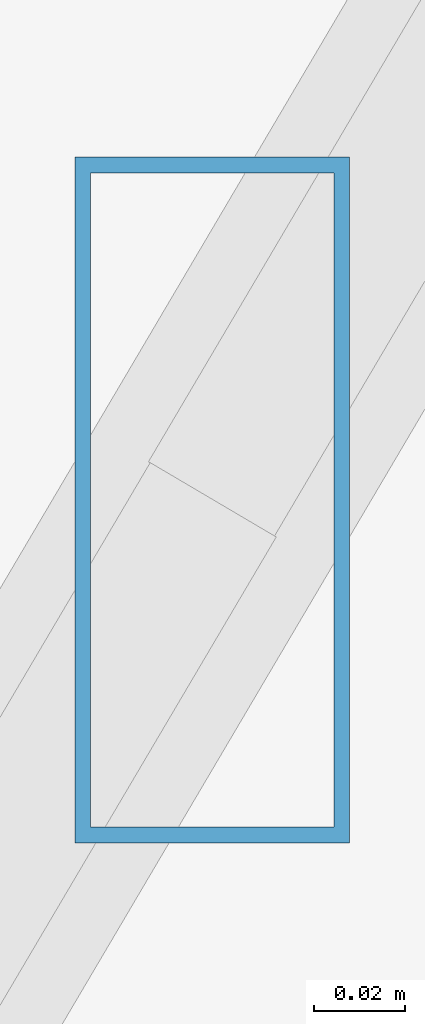
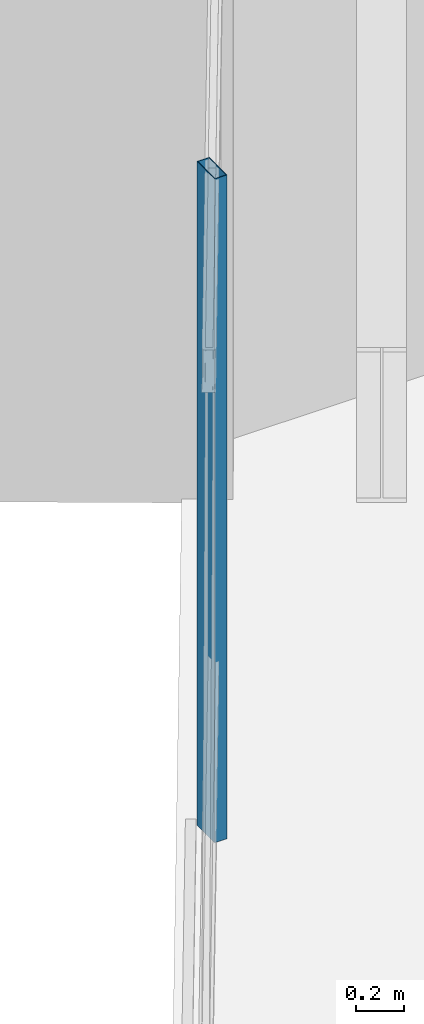
# One storey, part 28 of 41: 1 member, 1 element without a shape of its own.
"""IFC4 building model written with IfcOpenShell, lengths in metres."""

import ifcopenshell
import ifcopenshell.guid

model = None  # the IFC model being written
_history = None  # IfcOwnerHistory: only IFC2X3 demands one
_inside = {}  # id of a spatial element -> (the spatial element, [elements in it])
_under = {}  # id of a project, library or spatial element -> (it, [spatial elements below it])
_declared = {}  # id of a project -> (the project, [libraries it declares])
_typed = {}  # id of a type object -> (the type object, [elements of that type])
_made_of = {}  # id of a material, layer set ... -> (it, [elements and type objects made of it])


def new_model(schema):
    """Start an empty IFC model of exactly this schema.

    Asked for "IFC4X3", IfcOpenShell would pick the latest addendum, in which some entities
    have other attributes; the version numbers below select the first issue.
    IFC2X3 requires an IfcOwnerHistory on every rooted entity: one is made here for all.
    """
    global model, _history
    if schema == "IFC4X3":
        model = ifcopenshell.file(schema_version=(4, 3, 0, 0))
    else:
        model = ifcopenshell.file(schema=schema)
    _inside.clear()
    _under.clear()
    _declared.clear()
    _typed.clear()
    _made_of.clear()
    _history = None
    if model.schema == "IFC2X3":
        org = make("IfcOrganization", Name="unknown")
        user = make(
            "IfcPersonAndOrganization",
            ThePerson=make("IfcPerson", FamilyName="unknown"),
            TheOrganization=org,
        )
        app = make(
            "IfcApplication",
            ApplicationDeveloper=org,
            Version="unknown",
            ApplicationFullName="unknown",
            ApplicationIdentifier="unknown",
        )
        _history = make(
            "IfcOwnerHistory",
            OwningUser=user,
            OwningApplication=app,
            ChangeAction="ADDED",
            CreationDate=0,
        )
    return model


def make(cls, **values):
    """One entity of the class cls with the attributes given. An attribute that is None is left unset."""
    return model.create_entity(
        cls, **{name: value for name, value in values.items() if value is not None}
    )


def rooted(cls, **values):
    """An entity with a GlobalId (a new one), such as an element, a storey or a relation."""
    return make(cls, GlobalId=ifcopenshell.guid.new(), OwnerHistory=_history, **values)


def si_unit(unit_type, name, prefix=None):
    """IfcSIUnit, for example si_unit("LENGTHUNIT", "METRE", prefix="MILLI")."""
    return make("IfcSIUnit", UnitType=unit_type, Prefix=prefix, Name=name)


def assignment(units):
    """IfcUnitAssignment: the units of a project."""
    return None if units is None else make("IfcUnitAssignment", Units=units)


def point(xyz):
    """IfcCartesianPoint."""
    return None if xyz is None else make("IfcCartesianPoint", Coordinates=xyz)


def direction(xyz):
    """IfcDirection."""
    return None if xyz is None else make("IfcDirection", DirectionRatios=xyz)


def frame(location, z_axis=None, x_axis=None):
    """IfcAxis2Placement3D, a coordinate frame: its origin and axes. An axis left out is left unset."""
    return make(
        "IfcAxis2Placement3D",
        Location=point(location),
        Axis=direction(z_axis),
        RefDirection=direction(x_axis),
    )


def frame_2d(location, x_axis=None):
    """IfcAxis2Placement2D, a coordinate frame in the plane: its origin and x axis."""
    return make(
        "IfcAxis2Placement2D", Location=point(location), RefDirection=direction(x_axis)
    )


def origin():
    """The frame at (0, 0, 0) with its axes left unset."""
    return frame((0.0, 0.0, 0.0))


def origin_2d():
    """The frame at (0, 0) in the plane with its x axis left unset."""
    return frame_2d((0.0, 0.0))


def place(relative_to, where):
    """IfcLocalPlacement: puts the frame where relative to a parent placement (None: the world)."""
    return make(
        "IfcLocalPlacement", PlacementRelTo=relative_to, RelativePlacement=where
    )


def context(
    kind, dimensions, precision=None, world=None, true_north=None, identifier=None
):
    """IfcGeometricRepresentationContext, for example the 3D "Model" context."""
    return make(
        "IfcGeometricRepresentationContext",
        ContextIdentifier=identifier,
        ContextType=kind,
        CoordinateSpaceDimension=dimensions,
        Precision=precision,
        WorldCoordinateSystem=world,
        TrueNorth=true_north,
    )


def subcontext(parent, identifier, kind, view, scale=None):
    """IfcGeometricRepresentationSubContext, for example "Body" below "Model"."""
    return make(
        "IfcGeometricRepresentationSubContext",
        ContextIdentifier=identifier,
        ContextType=kind,
        ParentContext=parent,
        TargetScale=scale,
        TargetView=view,
    )


def project(units=None, contexts=None):
    """IfcProject with its units and contexts."""
    return rooted(
        "IfcProject",
        Name="project",
        RepresentationContexts=contexts,
        UnitsInContext=assignment(units),
    )


def spatial(cls, under=None, at=None, **own):
    """A site, building, storey or space (cls), placed at a placement, below another one or the project."""
    s = rooted(cls, ObjectPlacement=at, **own)
    if under is not None:
        _under.setdefault(under.id(), (under, []))[1].append(s)
    return s


def profile(cls, at=None, kind="AREA", **sizes):
    """A parametric profile (cls). Its sizes go by their IFC names, for example OverallWidth=200.0."""
    return make(cls, ProfileType=kind, Position=at, **sizes)


def hollow_rectangle(**sizes):
    """IfcRectangleHollowProfileDef."""
    return profile("IfcRectangleHollowProfileDef", **sizes)


def extrude(swept, where, along, depth):
    """IfcExtrudedAreaSolid: the profile swept, set in the frame where, extruded along a direction by depth."""
    return make(
        "IfcExtrudedAreaSolid",
        SweptArea=swept,
        Position=where,
        ExtrudedDirection=direction(along),
        Depth=depth,
    )


def shape(context_of_items, identifier, shape_type, items):
    """IfcShapeRepresentation: the items that make up one representation, for example the "Body"."""
    return make(
        "IfcShapeRepresentation",
        ContextOfItems=context_of_items,
        RepresentationIdentifier=identifier,
        RepresentationType=shape_type,
        Items=items,
    )


def source(mapping_origin, context_of_items, identifier, shape_type, items):
    """IfcRepresentationMap: a shape defined once, which mapped items show again and again."""
    return make(
        "IfcRepresentationMap",
        MappingOrigin=mapping_origin,
        MappedRepresentation=shape(context_of_items, identifier, shape_type, items),
    )


def transform(
    local_origin,
    x_axis=None,
    y_axis=None,
    z_axis=None,
    scale=None,
    scale2=None,
    scale3=None,
    uniform=True,
):
    """IfcCartesianTransformationOperator3D, or its non-uniform kind. x_axis, y_axis, z_axis: its Axis1, 2, 3."""
    if uniform:
        return make(
            "IfcCartesianTransformationOperator3D",
            Axis1=direction(x_axis),
            Axis2=direction(y_axis),
            LocalOrigin=point(local_origin),
            Scale=scale,
            Axis3=direction(z_axis),
        )
    return make(
        "IfcCartesianTransformationOperator3DnonUniform",
        Axis1=direction(x_axis),
        Axis2=direction(y_axis),
        LocalOrigin=point(local_origin),
        Scale=scale,
        Axis3=direction(z_axis),
        Scale2=scale2,
        Scale3=scale3,
    )


def mapped(mapping_source, mapping_target):
    """IfcMappedItem: shows the shape of a source again, moved by a transform."""
    return make(
        "IfcMappedItem", MappingSource=mapping_source, MappingTarget=mapping_target
    )


def material(Name=None, Category=None):
    """IfcMaterial."""
    return make("IfcMaterial", Name=Name, Category=Category)


def material_profile(
    of_material, cross_section, Name=None, Category=None, Priority=None
):
    """IfcMaterialProfile: a cross section and its material."""
    return make(
        "IfcMaterialProfile",
        Name=Name,
        Material=of_material,
        Profile=cross_section,
        Priority=Priority,
        Category=Category,
    )


def profile_set(profiles, Name=None, composite=None):
    """IfcMaterialProfileSet."""
    return make(
        "IfcMaterialProfileSet",
        Name=Name,
        MaterialProfiles=profiles,
        CompositeProfile=composite,
    )


def made_of(thing, what):
    """Note that an element or type object is made of a material, layer set ...; save() writes the relation."""
    if what is not None:
        _made_of.setdefault(what.id(), (what, []))[1].append(thing)
    return thing


def type_object(cls, material=None, **own):
    """A type object (cls), such as IfcWallType, which elements share."""
    return made_of(rooted(cls, **own), material)


def type_shapes(of_type, sources):
    """Give a type object the sources (RepresentationMaps) that its elements show as mapped items."""
    of_type.RepresentationMaps = sources


def element(
    cls,
    number,
    at=None,
    inside=None,
    cuts=None,
    type_object=None,
    material=None,
    context=None,
    identifier="Body",
    shape_type=None,
    held_by="IfcProductDefinitionShape",
    body=None,
    shapes=None,
    **own,
):
    """One element of the class cls, such as IfcWall. Its Tag is "e" and its number.

    at: its placement. inside: the storey or other place that contains it. cuts: it is an
    opening in that element (IfcRelVoidsElement). A single representation is given by context,
    identifier, shape_type and body (its items); several are given by shapes. held_by: the class
    of the entity that holds the representations. save() writes the other relations.
    """
    e = rooted(cls, Tag="e%d" % number, ObjectPlacement=at, **own)
    if body is not None:
        shapes = [shape(context, identifier, shape_type, body)]
    if shapes is not None:
        e.Representation = make(held_by, Representations=shapes)
    if inside is not None:
        _inside.setdefault(inside.id(), (inside, []))[1].append(e)
    if cuts is not None:
        rooted(
            "IfcRelVoidsElement", RelatingBuildingElement=cuts, RelatedOpeningElement=e
        )
    if type_object is not None:
        _typed.setdefault(type_object.id(), (type_object, []))[1].append(e)
    return made_of(e, material)


def aggregate(whole, parts):
    """IfcRelAggregates: a whole, such as a stair, and the parts it consists of."""
    return rooted("IfcRelAggregates", RelatingObject=whole, RelatedObjects=parts)


def save(model, path):
    """Write the relations noted so far, then the file.

    IfcRelAggregates (storeys below a building ...), IfcRelContainedInSpatialStructure (elements
    in a storey), IfcRelDefinesByType, IfcRelAssociatesMaterial and IfcRelDeclares: one each for
    every whole, place, type object, material and project.
    """
    for whole, parts in _under.values():
        aggregate(whole, parts)
    for where, things in _inside.values():
        rooted(
            "IfcRelContainedInSpatialStructure",
            RelatedElements=things,
            RelatingStructure=where,
        )
    for kind, things in _typed.values():
        rooted("IfcRelDefinesByType", RelatedObjects=things, RelatingType=kind)
    for what, things in _made_of.values():
        rooted("IfcRelAssociatesMaterial", RelatedObjects=things, RelatingMaterial=what)
    for by, libraries in _declared.values():
        rooted("IfcRelDeclares", RelatingContext=by, RelatedDefinitions=libraries)
    model.write(path)


model = new_model("IFC4")

# Units and contexts
model_context = context("Model", 3, precision=1e-05, world=origin(), true_north=direction((0.0, 1.0)))
body_context = subcontext(model_context, "Body", "Model", "MODEL_VIEW")
ifc_project = project(units=[si_unit("LENGTHUNIT", "METRE"), si_unit("AREAUNIT", "SQUARE_METRE"), si_unit("VOLUMEUNIT", "CUBIC_METRE"), si_unit("PLANEANGLEUNIT", "RADIAN"), si_unit("MASSUNIT", "GRAM", prefix="KILO")], contexts=[model_context])

# Site, building, storey
site_placement = place(None, origin())
site = spatial("IfcSite", under=ifc_project, at=site_placement, CompositionType="ELEMENT")
building_placement = place(site_placement, origin())
building = spatial("IfcBuilding", under=site, at=building_placement, Name="Caelisora Broadcast Tower", CompositionType="ELEMENT")
storey_placement = place(building_placement, frame((0.0, 0.0, 162.14990234375)))
storey = spatial("IfcBuildingStorey", under=building, at=storey_placement, Name="L42", CompositionType="ELEMENT", Elevation=162.14990234375)

# Curtain wall, member
ifc_material_1 = material(Name="Unitised Aluminium and Low-E Glass Curtain Wall", Category="glass")
curtain_wall_type = type_object("IfcCurtainWallType", Name="CW-Z3", PredefinedType="NOTDEFINED", material=ifc_material_1)
curtain_wall_placement = place(storey_placement, origin())
curtain_wall = element("IfcCurtainWall", 1, at=curtain_wall_placement, inside=storey, type_object=curtain_wall_type, Name="L42 curtain wall CW-Z3", PredefinedType="NOTDEFINED")
ifc_material_2 = material(Name="Aluminium 6063-T6 Anodised Terracotta Bronze", Category="aluminium")
ifc_material_profile = material_profile(ifc_material_2, hollow_rectangle(XDim=0.06005859375, YDim=0.14990234375, WallThickness=0.00341796875, at=origin_2d()), Name="Aluminium 6063-T6 Anodised Terracotta Bronze")
ifc_profile_set = profile_set([ifc_material_profile], Name="Aluminium 6063-T6 Anodised Terracotta Bronze")
member_type = type_object("IfcMemberType", Name="CWM-03", PredefinedType="MULLION", material=ifc_profile_set)
shared_shape = source(origin(), body_context, "Body", "SweptSolid", [
    extrude(hollow_rectangle(XDim=0.06005859375, YDim=0.14990234375, WallThickness=0.00341796875, at=origin_2d()), origin(), (0.0, 0.0, 1.0), 3.400146484375),
])
type_shapes(member_type, [shared_shape])
member_placement = place(storey_placement, frame((28.831787109375, 42.46826171875, 0.0), z_axis=(0.0, 0.0, 1.0), x_axis=(1.0, 0.0, 0.0)))
member = element("IfcMember", 2, at=member_placement, type_object=member_type, Name="L42-CW-B11 mullion #1", PredefinedType="MULLION", context=body_context, shape_type="MappedRepresentation", body=[
    mapped(shared_shape, transform((0.0, 0.0, 0.0), scale=1.0)),
])
aggregate(curtain_wall, [member])

save(model, "model.ifc")
